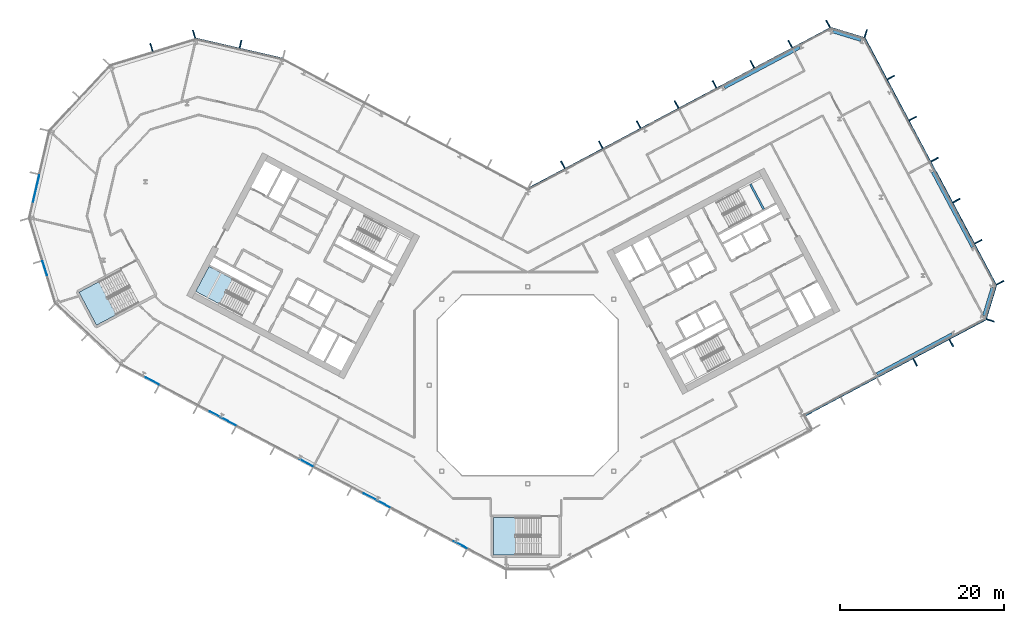
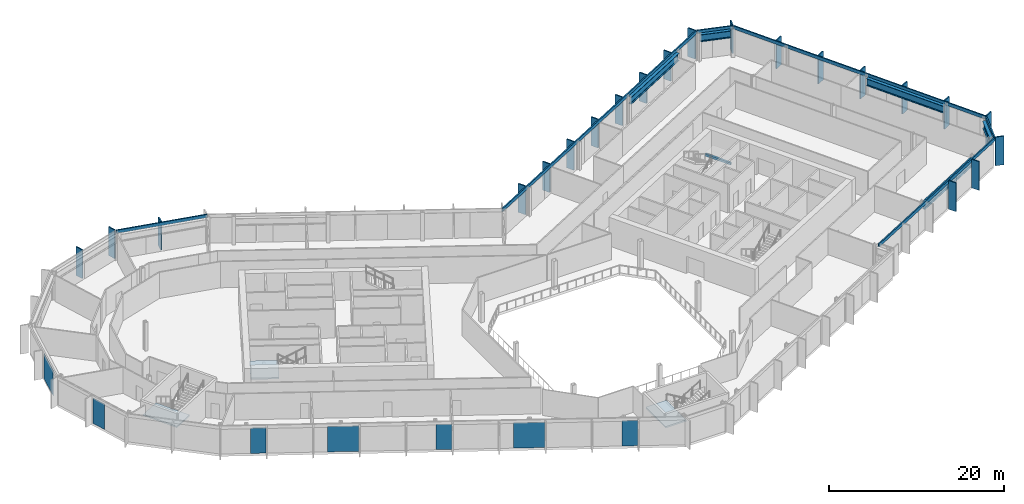
# One storey, part 10 of 28: 27 members, 7 plates, 6 beams, 3 slabs, 13 elements without a shape of their own.
"""IFC4 building model written with IfcOpenShell, lengths in metres."""

from ifc_helpers import new_model, si_unit, direction, frame, origin, origin_2d, place, context, subcontext, project, spatial, polyline, rectangle, i_section, outline, extrude, material, layer, layer_set, material_profile, profile_set, type_object, element, aggregate, save


model = new_model("IFC4")

# Units and contexts
model_context = context("Model", 3, precision=1e-05, world=origin(), true_north=direction((0.0, 1.0)))
body_context = subcontext(model_context, "Body", "Model", "MODEL_VIEW")
ifc_project = project(units=[si_unit("LENGTHUNIT", "METRE"), si_unit("AREAUNIT", "SQUARE_METRE"), si_unit("VOLUMEUNIT", "CUBIC_METRE"), si_unit("PLANEANGLEUNIT", "RADIAN"), si_unit("MASSUNIT", "GRAM", prefix="KILO")], contexts=[model_context])

# Site, building, storey
site_placement = place(None, origin())
site = spatial("IfcSite", under=ifc_project, at=site_placement, CompositionType="ELEMENT")
building_placement = place(site_placement, origin())
building = spatial("IfcBuilding", under=site, at=building_placement, Name="Cormorant Relay Tower", CompositionType="ELEMENT")
storey_placement = place(building_placement, frame((0.0, 0.0, 134.199951171875)))
storey = spatial("IfcBuildingStorey", under=building, at=storey_placement, Name="L27", CompositionType="ELEMENT", Elevation=134.199951171875)

# Curtain wall, members
ifc_material_1 = material(Name="Aluminium 6063-T6 anodised bronze", Category="aluminium")
ifc_layer_1 = layer(ifc_material_1, 0.199951171875)
ifc_layer_set_1 = layer_set([ifc_layer_1], Name="CW1 unitised bronze curtain wall with vertical fins")
curtain_wall_type = type_object("IfcCurtainWallType", Name="CW1 unitised bronze curtain wall with vertical fins", PredefinedType="NOTDEFINED", material=ifc_layer_set_1)
curtain_wall_1_placement = place(storey_placement, origin())
curtain_wall_1 = element("IfcCurtainWall", 1, at=curtain_wall_1_placement, inside=storey, type_object=curtain_wall_type, Name="CW1 curtain wall 4", PredefinedType="NOTDEFINED")
ifc_material_2 = material(Name="Aluminium 6063-T6 anodised bronze", Category="aluminium")
ifc_material_profile_1 = material_profile(ifc_material_2, rectangle(XDim=0.14990234375, YDim=1.0, at=origin_2d()), Name="AL 150x1000")
ifc_profile_set_1 = profile_set([ifc_material_profile_1], Name="Aluminium 6063-T6 anodised bronze")
member_type_1 = type_object("IfcMemberType", Name="CW1 bronze fin mullion 150 x 1000", PredefinedType="MULLION", material=ifc_profile_set_1)
member_1_placement = place(storey_placement, frame((47.21533203125, 2.793212890625, 0.0), z_axis=(0.0, 0.0, 1.0), x_axis=(0.882947592859, 0.469471562786, 0.0)))
member_1 = element("IfcMember", 2, at=member_1_placement, type_object=member_type_1, Name="CW1 fin 4.4", PredefinedType="MULLION", context=body_context, shape_type="SweptSolid", body=[
    extrude(rectangle(XDim=0.14990234375, YDim=1.0, at=origin_2d()), origin(), (0.0, 0.0, 1.0), 4.0),
])
member_2_placement = place(storey_placement, frame((51.630126953125, 5.140625, 0.0), z_axis=(0.0, 0.0, 1.0), x_axis=(0.882947592859, 0.469471562786, 0.0)))
member_2 = element("IfcMember", 3, at=member_2_placement, type_object=member_type_1, Name="CW1 fin 4.5", PredefinedType="MULLION", context=body_context, shape_type="SweptSolid", body=[
    extrude(rectangle(XDim=0.14990234375, YDim=1.0, at=origin_2d()), origin(), (0.0, 0.0, 1.0), 4.0),
])

# Curtain wall, member
curtain_wall_2_placement = place(storey_placement, origin())
curtain_wall_2 = element("IfcCurtainWall", 4, at=curtain_wall_2_placement, inside=storey, type_object=curtain_wall_type, Name="CW1 curtain wall 5", PredefinedType="NOTDEFINED")
member_3_placement = place(storey_placement, frame((56.385498046875, 7.9013671875, 0.0), z_axis=(0.0, 0.0, 1.0), x_axis=(0.292371704723, 0.956304755963, 0.0)))
member_3 = element("IfcMember", 5, at=member_3_placement, type_object=member_type_1, Name="CW1 fin 5.1", PredefinedType="MULLION", context=body_context, shape_type="SweptSolid", body=[
    extrude(rectangle(XDim=0.14990234375, YDim=1.0, at=origin_2d()), origin(), (0.0, 0.0, 1.0), 4.0),
])

# Curtain wall, members
curtain_wall_3_placement = place(storey_placement, origin())
curtain_wall_3 = element("IfcCurtainWall", 6, at=curtain_wall_3_placement, inside=storey, type_object=curtain_wall_type, Name="CW1 curtain wall 6", PredefinedType="NOTDEFINED")
member_4_placement = place(storey_placement, frame((57.57470703125, 12.491943359375, 0.0), z_axis=(0.0, 0.0, 1.0), x_axis=(-0.469471562786, 0.882947592859, 0.0)))
member_4 = element("IfcMember", 7, at=member_4_placement, type_object=member_type_1, Name="CW1 fin 6.1", PredefinedType="MULLION", context=body_context, shape_type="SweptSolid", body=[
    extrude(rectangle(XDim=0.14990234375, YDim=1.0, at=origin_2d()), origin(), (0.0, 0.0, 1.0), 4.0),
])
member_5_placement = place(storey_placement, frame((54.914306640625, 17.4951171875, 0.0), z_axis=(0.0, 0.0, 1.0), x_axis=(-0.469471562786, 0.882947592859, 0.0)))
member_5 = element("IfcMember", 8, at=member_5_placement, type_object=member_type_1, Name="CW1 fin 6.2", PredefinedType="MULLION", context=body_context, shape_type="SweptSolid", body=[
    extrude(rectangle(XDim=0.14990234375, YDim=1.0, at=origin_2d()), origin(), (0.0, 0.0, 1.0), 4.0),
])
member_6_placement = place(storey_placement, frame((52.25390625, 22.49853515625, 0.0), z_axis=(0.0, 0.0, 1.0), x_axis=(-0.469471562786, 0.882947592859, 0.0)))
member_6 = element("IfcMember", 9, at=member_6_placement, type_object=member_type_1, Name="CW1 fin 6.3", PredefinedType="MULLION", context=body_context, shape_type="SweptSolid", body=[
    extrude(rectangle(XDim=0.14990234375, YDim=1.0, at=origin_2d()), origin(), (0.0, 0.0, 1.0), 4.0),
])
member_7_placement = place(storey_placement, frame((49.59375, 27.501953125, 0.0), z_axis=(0.0, 0.0, 1.0), x_axis=(-0.469471562786, 0.882947592859, 0.0)))
member_7 = element("IfcMember", 10, at=member_7_placement, type_object=member_type_1, Name="CW1 fin 6.4", PredefinedType="MULLION", context=body_context, shape_type="SweptSolid", body=[
    extrude(rectangle(XDim=0.14990234375, YDim=1.0, at=origin_2d()), origin(), (0.0, 0.0, 1.0), 4.0),
])
member_8_placement = place(storey_placement, frame((46.933349609375, 32.50537109375, 0.0), z_axis=(0.0, 0.0, 1.0), x_axis=(-0.469471562786, 0.882947592859, 0.0)))
member_8 = element("IfcMember", 11, at=member_8_placement, type_object=member_type_1, Name="CW1 fin 6.5", PredefinedType="MULLION", context=body_context, shape_type="SweptSolid", body=[
    extrude(rectangle(XDim=0.14990234375, YDim=1.0, at=origin_2d()), origin(), (0.0, 0.0, 1.0), 4.0),
])
member_9_placement = place(storey_placement, frame((44.27294921875, 37.5087890625, 0.0), z_axis=(0.0, 0.0, 1.0), x_axis=(-0.469471562786, 0.882947592859, 0.0)))
member_9 = element("IfcMember", 12, at=member_9_placement, type_object=member_type_1, Name="CW1 fin 6.6", PredefinedType="MULLION", context=body_context, shape_type="SweptSolid", body=[
    extrude(rectangle(XDim=0.14990234375, YDim=1.0, at=origin_2d()), origin(), (0.0, 0.0, 1.0), 4.0),
])

# Curtain wall, member
curtain_wall_4_placement = place(storey_placement, origin())
curtain_wall_4 = element("IfcCurtainWall", 13, at=curtain_wall_4_placement, inside=storey, type_object=curtain_wall_type, Name="CW1 curtain wall 7", PredefinedType="NOTDEFINED")
member_10_placement = place(storey_placement, frame((41.19921875, 42.852783203125, 0.0), z_axis=(0.0, 0.0, 1.0), x_axis=(-0.956304755963, 0.292371704723, 0.0)))
member_10 = element("IfcMember", 14, at=member_10_placement, type_object=member_type_1, Name="CW1 fin 7.1", PredefinedType="MULLION", context=body_context, shape_type="SweptSolid", body=[
    extrude(rectangle(XDim=0.14990234375, YDim=1.0, at=origin_2d()), origin(), (0.0, 0.0, 1.0), 4.0),
])

# Curtain wall, members
curtain_wall_5_placement = place(storey_placement, origin())
curtain_wall_5 = element("IfcCurtainWall", 15, at=curtain_wall_5_placement, inside=storey, type_object=curtain_wall_type, Name="CW1 curtain wall 8", PredefinedType="NOTDEFINED")
member_11_placement = place(storey_placement, frame((36.608642578125, 44.0419921875, 0.0), z_axis=(0.0, 0.0, 1.0), x_axis=(-0.882947592859, -0.469471562786, 0.0)))
member_11 = element("IfcMember", 16, at=member_11_placement, type_object=member_type_1, Name="CW1 fin 8.1", PredefinedType="MULLION", context=body_context, shape_type="SweptSolid", body=[
    extrude(rectangle(XDim=0.14990234375, YDim=1.0, at=origin_2d()), origin(), (0.0, 0.0, 1.0), 4.0),
])
member_12_placement = place(storey_placement, frame((31.991455078125, 41.5869140625, 0.0), z_axis=(0.0, 0.0, 1.0), x_axis=(-0.882947592859, -0.469471562786, 0.0)))
member_12 = element("IfcMember", 17, at=member_12_placement, type_object=member_type_1, Name="CW1 fin 8.2", PredefinedType="MULLION", context=body_context, shape_type="SweptSolid", body=[
    extrude(rectangle(XDim=0.14990234375, YDim=1.0, at=origin_2d()), origin(), (0.0, 0.0, 1.0), 4.0),
])
member_13_placement = place(storey_placement, frame((27.37451171875, 39.132080078125, 0.0), z_axis=(0.0, 0.0, 1.0), x_axis=(-0.882947592859, -0.469471562786, 0.0)))
member_13 = element("IfcMember", 18, at=member_13_placement, type_object=member_type_1, Name="CW1 fin 8.3", PredefinedType="MULLION", context=body_context, shape_type="SweptSolid", body=[
    extrude(rectangle(XDim=0.14990234375, YDim=1.0, at=origin_2d()), origin(), (0.0, 0.0, 1.0), 4.0),
])
member_14_placement = place(storey_placement, frame((22.757080078125, 36.677001953125, 0.0), z_axis=(0.0, 0.0, 1.0), x_axis=(-0.882947592859, -0.469471562786, 0.0)))
member_14 = element("IfcMember", 19, at=member_14_placement, type_object=member_type_1, Name="CW1 fin 8.4", PredefinedType="MULLION", context=body_context, shape_type="SweptSolid", body=[
    extrude(rectangle(XDim=0.14990234375, YDim=1.0, at=origin_2d()), origin(), (0.0, 0.0, 1.0), 4.0),
])
member_15_placement = place(storey_placement, frame((18.139892578125, 34.221923828125, 0.0), z_axis=(0.0, 0.0, 1.0), x_axis=(-0.882947592859, -0.469471562786, 0.0)))
member_15 = element("IfcMember", 20, at=member_15_placement, type_object=member_type_1, Name="CW1 fin 8.5", PredefinedType="MULLION", context=body_context, shape_type="SweptSolid", body=[
    extrude(rectangle(XDim=0.14990234375, YDim=1.0, at=origin_2d()), origin(), (0.0, 0.0, 1.0), 4.0),
])
member_16_placement = place(storey_placement, frame((13.52294921875, 31.76708984375, 0.0), z_axis=(0.0, 0.0, 1.0), x_axis=(-0.882947592859, -0.469471562786, 0.0)))
member_16 = element("IfcMember", 21, at=member_16_placement, type_object=member_type_1, Name="CW1 fin 8.6", PredefinedType="MULLION", context=body_context, shape_type="SweptSolid", body=[
    extrude(rectangle(XDim=0.14990234375, YDim=1.0, at=origin_2d()), origin(), (0.0, 0.0, 1.0), 4.0),
])
member_17_placement = place(storey_placement, frame((8.90576171875, 29.31201171875, 0.0), z_axis=(0.0, 0.0, 1.0), x_axis=(-0.882947592859, -0.469471562786, 0.0)))
member_17 = element("IfcMember", 22, at=member_17_placement, type_object=member_type_1, Name="CW1 fin 8.7", PredefinedType="MULLION", context=body_context, shape_type="SweptSolid", body=[
    extrude(rectangle(XDim=0.14990234375, YDim=1.0, at=origin_2d()), origin(), (0.0, 0.0, 1.0), 4.0),
])
member_18_placement = place(storey_placement, frame((4.28857421875, 26.85693359375, 0.0), z_axis=(0.0, 0.0, 1.0), x_axis=(-0.882947592859, -0.469471562786, 0.0)))
member_18 = element("IfcMember", 23, at=member_18_placement, type_object=member_type_1, Name="CW1 fin 8.8", PredefinedType="MULLION", context=body_context, shape_type="SweptSolid", body=[
    extrude(rectangle(XDim=0.14990234375, YDim=1.0, at=origin_2d()), origin(), (0.0, 0.0, 1.0), 4.0),
])

# Curtain wall, member
curtain_wall_6_placement = place(storey_placement, origin())
curtain_wall_6 = element("IfcCurtainWall", 24, at=curtain_wall_6_placement, inside=storey, type_object=curtain_wall_type, Name="CW1 curtain wall 10", PredefinedType="NOTDEFINED")
member_19_placement = place(storey_placement, frame((-35.01220703125, 41.57275390625, 0.0), z_axis=(0.0, 0.0, 1.0), x_axis=(-0.974370064785, 0.224951054344, 0.0)))
member_19 = element("IfcMember", 25, at=member_19_placement, type_object=member_type_1, Name="CW1 fin 10.2", PredefinedType="MULLION", context=body_context, shape_type="SweptSolid", body=[
    extrude(rectangle(XDim=0.14990234375, YDim=1.0, at=origin_2d()), origin(), (0.0, 0.0, 1.0), 4.0),
])

# Curtain wall, members
curtain_wall_7_placement = place(storey_placement, origin())
curtain_wall_7 = element("IfcCurtainWall", 26, at=curtain_wall_7_placement, inside=storey, type_object=curtain_wall_type, Name="CW1 curtain wall 11", PredefinedType="NOTDEFINED")
member_20_placement = place(storey_placement, frame((-40.670166015625, 42.78271484375, 0.0), z_axis=(0.0, 0.0, 1.0), x_axis=(-0.956304755963, -0.292371704723, 0.0)))
member_20 = element("IfcMember", 27, at=member_20_placement, type_object=member_type_1, Name="CW1 fin 11.1", PredefinedType="MULLION", context=body_context, shape_type="SweptSolid", body=[
    extrude(rectangle(XDim=0.14990234375, YDim=1.0, at=origin_2d()), origin(), (0.0, 0.0, 1.0), 4.0),
])
member_21_placement = place(storey_placement, frame((-45.867919921875, 41.193603515625, 0.0), z_axis=(0.0, 0.0, 1.0), x_axis=(-0.956304755963, -0.292371704723, 0.0)))
member_21 = element("IfcMember", 28, at=member_21_placement, type_object=member_type_1, Name="CW1 fin 11.2", PredefinedType="MULLION", context=body_context, shape_type="SweptSolid", body=[
    extrude(rectangle(XDim=0.14990234375, YDim=1.0, at=origin_2d()), origin(), (0.0, 0.0, 1.0), 4.0),
])
aggregate(curtain_wall_7, [member_20, member_21])

# Member
ifc_material_3 = material(Name="Aluminium 6063-T6 anodised bronze", Category="aluminium")
ifc_material_profile_2 = material_profile(ifc_material_3, rectangle(XDim=0.159912109375, YDim=0.449951171875, at=origin_2d()), Name="AL 160x450")
ifc_profile_set_2 = profile_set([ifc_material_profile_2], Name="Aluminium 6063-T6 anodised bronze")
member_type_2 = type_object("IfcMemberType", Name="CW1 bronze transom 160 x 450", PredefinedType="USERDEFINED", material=ifc_profile_set_2)
member_22_placement = place(storey_placement, frame((33.69873046875, -3.73681640625, 3.775146484375), z_axis=(0.88294749795, 0.469471741284, 0.0), x_axis=(-0.469471741284, 0.88294749795, 0.0)))
member_22 = element("IfcMember", 29, at=member_22_placement, type_object=member_type_2, Name="CW1 transom 4", ObjectType="TRANSOM", PredefinedType="USERDEFINED", context=body_context, shape_type="SweptSolid", body=[
    extrude(rectangle(XDim=0.159912109375, YDim=0.449951171875, at=origin_2d()), origin(), (0.0, 0.0, 1.0), 25.0),
])

aggregate(curtain_wall_1, [member_1, member_2, member_22])

member_23_placement = place(storey_placement, frame((55.830810546875, 8.07080078125, 3.775146484375), z_axis=(0.292374957137, 0.956303761594, 0.0), x_axis=(-0.956303761594, 0.292374957137, 0.0)))
member_23 = element("IfcMember", 30, at=member_23_placement, type_object=member_type_2, Name="CW1 transom 5", ObjectType="TRANSOM", PredefinedType="USERDEFINED", context=body_context, shape_type="SweptSolid", body=[
    extrude(rectangle(XDim=0.159912109375, YDim=0.449951171875, at=origin_2d()), origin(), (0.0, 0.0, 1.0), 4.24267578125),
])

aggregate(curtain_wall_2, [member_3, member_23])

member_24_placement = place(storey_placement, frame((57.0625, 12.219482421875, 3.775146484375), z_axis=(-0.469468277635, 0.882949339597, 0.0), x_axis=(-0.882949339597, -0.469468277635, 0.0)))
member_24 = element("IfcMember", 31, at=member_24_placement, type_object=member_type_2, Name="CW1 transom 6", ObjectType="TRANSOM", PredefinedType="USERDEFINED", context=body_context, shape_type="SweptSolid", body=[
    extrude(rectangle(XDim=0.159912109375, YDim=0.449951171875, at=origin_2d()), origin(), (0.0, 0.0, 1.0), 34.0),
])

aggregate(curtain_wall_3, [member_4, member_5, member_6, member_7, member_8, member_9, member_24])

member_25_placement = place(storey_placement, frame((41.02978515625, 42.298095703125, 3.775146484375), z_axis=(-0.956303761594, 0.292374957137, 0.0), x_axis=(-0.292374957137, -0.956303761594, 0.0)))
member_25 = element("IfcMember", 32, at=member_25_placement, type_object=member_type_2, Name="CW1 transom 7", ObjectType="TRANSOM", PredefinedType="USERDEFINED", context=body_context, shape_type="SweptSolid", body=[
    extrude(rectangle(XDim=0.159912109375, YDim=0.449951171875, at=origin_2d()), origin(), (0.0, 0.0, 1.0), 4.24267578125),
])

aggregate(curtain_wall_4, [member_10, member_25])

member_26_placement = place(storey_placement, frame((36.881103515625, 43.52978515625, 3.775146484375), z_axis=(-0.88294882701, -0.469469241677, 0.0), x_axis=(0.469469241677, -0.88294882701, 0.0)))
member_26 = element("IfcMember", 33, at=member_26_placement, type_object=member_type_2, Name="CW1 transom 8", ObjectType="TRANSOM", PredefinedType="USERDEFINED", context=body_context, shape_type="SweptSolid", body=[
    extrude(rectangle(XDim=0.159912109375, YDim=0.449951171875, at=origin_2d()), origin(), (0.0, 0.0, 1.0), 41.834228515625),
])

aggregate(curtain_wall_5, [member_11, member_12, member_13, member_14, member_15, member_16, member_17, member_18, member_26])

member_27_placement = place(storey_placement, frame((-29.8466796875, 39.784912109375, 3.775146484375), z_axis=(-0.974365070969, 0.224972683844, 0.0), x_axis=(-0.224972683844, -0.974365070969, 0.0)))
member_27 = element("IfcMember", 34, at=member_27_placement, type_object=member_type_2, Name="CW1 transom 10", ObjectType="TRANSOM", PredefinedType="USERDEFINED", context=body_context, shape_type="SweptSolid", body=[
    extrude(rectangle(XDim=0.159912109375, YDim=0.449951171875, at=origin_2d()), origin(), (0.0, 0.0, 1.0), 10.870361328125),
])

aggregate(curtain_wall_6, [member_19, member_27])

# Beams
ifc_material_4 = material(Name="Steel ASTM A992 (Fy 345 MPa)", Category="steel")
ifc_material_profile_3 = material_profile(ifc_material_4, i_section(OverallWidth=0.4013671875, OverallDepth=1.000732421875, WebThickness=0.01904296875, FlangeThickness=0.0361328125, FilletRadius=0.02978515625, at=origin_2d()), Name="W1000x371")
ifc_profile_set_3 = profile_set([ifc_material_profile_3], Name="Steel ASTM A992 (Fy 345 MPa)")
beam_type_1 = type_object("IfcBeamType", Name="Spandrel W1000x371", PredefinedType="SPANDREL", material=ifc_profile_set_3)
beam_1_placement = place(storey_placement, frame((42.5595703125, 1.337890625, 3.1396484375), z_axis=(0.882955922346, 0.469455896963, 0.0), x_axis=(-0.469455896963, 0.882955922346, 0.0)))
element("IfcBeam", 35, at=beam_1_placement, inside=storey, type_object=beam_type_1, Name="Spandrel beam L27-004", PredefinedType="SPANDREL", context=body_context, shape_type="SweptSolid", body=[
    extrude(i_section(OverallWidth=0.4013671875, OverallDepth=1.000732421875, WebThickness=0.01904296875, FlangeThickness=0.0361328125, FilletRadius=0.02978515625, at=origin_2d()), origin(), (0.0, 0.0, 1.0), 10.388427734375),
])
beam_2_placement = place(storey_placement, frame((55.62548828125, 8.495849609375, 3.1396484375), z_axis=(0.29237248799, 0.956304516494, 0.0), x_axis=(-0.956304516494, 0.29237248799, 0.0)))
element("IfcBeam", 36, at=beam_2_placement, inside=storey, type_object=beam_type_1, Name="Spandrel beam L27-005", PredefinedType="SPANDREL", context=body_context, shape_type="SweptSolid", body=[
    extrude(i_section(OverallWidth=0.4013671875, OverallDepth=1.000732421875, WebThickness=0.01904296875, FlangeThickness=0.0361328125, FilletRadius=0.02978515625, at=origin_2d()), origin(), (0.0, 0.0, 1.0), 3.585693359375),
])
beam_3_placement = place(storey_placement, frame((54.24169921875, 16.841796875, 3.1396484375), z_axis=(-0.469474218299, 0.882946180893, 0.0), x_axis=(-0.882946180893, -0.469474218299, 0.0)))
element("IfcBeam", 37, at=beam_3_placement, inside=storey, type_object=beam_type_1, Name="Spandrel beam L27-006", PredefinedType="SPANDREL", context=body_context, shape_type="SweptSolid", body=[
    extrude(i_section(OverallWidth=0.4013671875, OverallDepth=1.000732421875, WebThickness=0.01904296875, FlangeThickness=0.0361328125, FilletRadius=0.02978515625, at=origin_2d()), origin(), (0.0, 0.0, 1.0), 10.388671875),
])
beam_4_placement = place(storey_placement, frame((40.605224609375, 42.0927734375, 3.1396484375), z_axis=(-0.956311914022, 0.292348290742, 0.0), x_axis=(-0.292348290742, -0.956311914022, 0.0)))
element("IfcBeam", 38, at=beam_4_placement, inside=storey, type_object=beam_type_1, Name="Spandrel beam L27-007", PredefinedType="SPANDREL", context=body_context, shape_type="SweptSolid", body=[
    extrude(i_section(OverallWidth=0.4013671875, OverallDepth=1.000732421875, WebThickness=0.01904296875, FlangeThickness=0.0361328125, FilletRadius=0.02978515625, at=origin_2d()), origin(), (0.0, 0.0, 1.0), 3.585205078125),
])
beam_5_placement = place(storey_placement, frame((33.141357421875, 41.17822265625, 3.1396484375), z_axis=(-0.882955922346, -0.469455896963, 0.0), x_axis=(0.469455896963, -0.882955922346, 0.0)))
element("IfcBeam", 39, at=beam_5_placement, inside=storey, type_object=beam_type_1, Name="Spandrel beam L27-008", PredefinedType="SPANDREL", context=body_context, shape_type="SweptSolid", body=[
    extrude(i_section(OverallWidth=0.4013671875, OverallDepth=1.000732421875, WebThickness=0.01904296875, FlangeThickness=0.0361328125, FilletRadius=0.02978515625, at=origin_2d()), origin(), (0.0, 0.0, 1.0), 10.388427734375),
])
ifc_material_5 = material(Name="Concrete 50 MPa", Category="concrete")
ifc_material_profile_4 = material_profile(ifc_material_5, rectangle(XDim=0.25, YDim=0.300048828125, at=origin_2d()), Name="RC 250x300")
ifc_profile_set_4 = profile_set([ifc_material_profile_4], Name="Concrete 50 MPa")
beam_type_2 = type_object("IfcBeamType", Name="Stair landing ledge beam 250x300", PredefinedType="BEAM", material=ifc_profile_set_4)
beam_6_placement = place(storey_placement, frame((28.755126953125, 21.4619140625, 1.650146484375), z_axis=(-0.469463917486, 0.882951657895, 0.0), x_axis=(-0.882951657895, -0.469463917486, 0.0)))
element("IfcBeam", 40, at=beam_6_placement, inside=storey, type_object=beam_type_2, Name="B2 landing ledge beam", PredefinedType="BEAM", context=body_context, shape_type="SweptSolid", body=[
    extrude(rectangle(XDim=0.25, YDim=0.300048828125, at=origin_2d()), origin(), (0.0, 0.0, 1.0), 3.449951171875),
])

# Curtain wall, plate
curtain_wall_8_placement = place(storey_placement, origin())
curtain_wall_8 = element("IfcCurtainWall", 41, at=curtain_wall_8_placement, inside=storey, type_object=curtain_wall_type, Name="CW1 curtain wall 14", PredefinedType="NOTDEFINED")
ifc_material_6 = material(Name="Tinted laminated glass", Category="glass")
ifc_layer_2 = layer(ifc_material_6, 0.0400390625)
ifc_layer_set_2 = layer_set([ifc_layer_2], Name="CW1 tinted vision panel 1800 module")
plate_type_1 = type_object("IfcPlateType", Name="CW1 tinted vision panel 1800 module", PredefinedType="CURTAIN_PANEL", material=ifc_layer_set_2)
plate_1_placement = place(storey_placement, frame((-58.86474609375, 14.25732421875, 0.0), z_axis=(0.0, 0.0, 1.0), x_axis=(0.292371704723, -0.956304755963, 0.0)))
plate_1 = element("IfcPlate", 42, at=plate_1_placement, type_object=plate_type_1, Name="CW1 panel V01", PredefinedType="CURTAIN_PANEL", context=body_context, shape_type="SweptSolid", body=[
    extrude(rectangle(XDim=1.800048828125, YDim=0.0400390625, at=origin_2d()), origin(), (0.0, 0.0, 1.0), 3.550048828125),
])
aggregate(curtain_wall_8, [plate_1])

# Curtain wall, plates
curtain_wall_9_placement = place(storey_placement, origin())
curtain_wall_9 = element("IfcCurtainWall", 43, at=curtain_wall_9_placement, inside=storey, type_object=curtain_wall_type, Name="CW1 curtain wall 16", PredefinedType="NOTDEFINED")
plate_2_placement = place(storey_placement, frame((-45.767578125, 0.5283203125, 0.0), z_axis=(0.0, 0.0, 1.0), x_axis=(0.882947592859, -0.469471562786, 0.0)))
plate_2 = element("IfcPlate", 44, at=plate_2_placement, type_object=plate_type_1, Name="CW1 panel V01", PredefinedType="CURTAIN_PANEL", context=body_context, shape_type="SweptSolid", body=[
    extrude(rectangle(XDim=1.800048828125, YDim=0.0400390625, at=origin_2d()), origin(), (0.0, 0.0, 1.0), 3.550048828125),
])
plate_3_placement = place(storey_placement, frame((-26.990478515625, -9.45556640625, 0.0), z_axis=(0.0, 0.0, 1.0), x_axis=(0.882947592859, -0.469471562786, 0.0)))
plate_3 = element("IfcPlate", 45, at=plate_3_placement, type_object=plate_type_1, Name="CW1 panel V05", PredefinedType="CURTAIN_PANEL", context=body_context, shape_type="SweptSolid", body=[
    extrude(rectangle(XDim=1.800048828125, YDim=0.0400390625, at=origin_2d()), origin(), (0.0, 0.0, 1.0), 3.550048828125),
])
plate_4_placement = place(storey_placement, frame((-8.21337890625, -19.439453125, 0.0), z_axis=(0.0, 0.0, 1.0), x_axis=(0.882947592859, -0.469471562786, 0.0)))
plate_4 = element("IfcPlate", 46, at=plate_4_placement, type_object=plate_type_1, Name="CW1 panel V09", PredefinedType="CURTAIN_PANEL", context=body_context, shape_type="SweptSolid", body=[
    extrude(rectangle(XDim=1.800048828125, YDim=0.0400390625, at=origin_2d()), origin(), (0.0, 0.0, 1.0), 3.550048828125),
])

# Curtain wall, plate
curtain_wall_10_placement = place(storey_placement, origin())
curtain_wall_10 = element("IfcCurtainWall", 47, at=curtain_wall_10_placement, inside=storey, type_object=curtain_wall_type, Name="CW1 curtain wall 13", PredefinedType="NOTDEFINED")
ifc_material_7 = material(Name="Tinted laminated glass", Category="glass")
ifc_layer_3 = layer(ifc_material_7, 0.0400390625)
ifc_layer_set_3 = layer_set([ifc_layer_3], Name="CW1 tinted vision panel 3600 module")
plate_type_2 = type_object("IfcPlateType", Name="CW1 tinted vision panel 3600 module", PredefinedType="CURTAIN_PANEL", material=ifc_layer_set_3)
plate_5_placement = place(storey_placement, frame((-59.9384765625, 23.86669921875, 0.0), z_axis=(0.0, 0.0, 1.0), x_axis=(-0.224951054344, -0.974370064785, 0.0)))
plate_5 = element("IfcPlate", 48, at=plate_5_placement, type_object=plate_type_2, Name="CW1 panel V01", PredefinedType="CURTAIN_PANEL", context=body_context, shape_type="SweptSolid", body=[
    extrude(rectangle(XDim=3.60009765625, YDim=0.0400390625, at=origin_2d()), origin(), (0.0, 0.0, 1.0), 3.550048828125),
])
aggregate(curtain_wall_10, [plate_5])

# Plate
plate_6_placement = place(storey_placement, frame((-37.173583984375, -4.041015625, 0.0), z_axis=(0.0, 0.0, 1.0), x_axis=(0.882947592859, -0.469471562786, 0.0)))
plate_6 = element("IfcPlate", 49, at=plate_6_placement, type_object=plate_type_2, Name="CW1 panel V03", PredefinedType="CURTAIN_PANEL", context=body_context, shape_type="SweptSolid", body=[
    extrude(rectangle(XDim=3.60009765625, YDim=0.0400390625, at=origin_2d()), origin(), (0.0, 0.0, 1.0), 3.550048828125),
])

plate_7_placement = place(storey_placement, frame((-18.396484375, -14.02490234375, 0.0), z_axis=(0.0, 0.0, 1.0), x_axis=(0.882947592859, -0.469471562786, 0.0)))
plate_7 = element("IfcPlate", 50, at=plate_7_placement, type_object=plate_type_2, Name="CW1 panel V07", PredefinedType="CURTAIN_PANEL", context=body_context, shape_type="SweptSolid", body=[
    extrude(rectangle(XDim=3.60009765625, YDim=0.0400390625, at=origin_2d()), origin(), (0.0, 0.0, 1.0), 3.550048828125),
])

aggregate(curtain_wall_9, [plate_2, plate_6, plate_3, plate_7, plate_4])

# Stair, slab
ifc_material_8 = material(Name="Concrete 40 MPa", Category="concrete")
stair_type_1 = type_object("IfcStairType", Name="Exit stair 1500", PredefinedType="HALF_TURN_STAIR", material=ifc_material_8)
stair_1_placement = place(storey_placement, origin())
stair_1 = element("IfcStair", 51, at=stair_1_placement, inside=storey, type_object=stair_type_1, Name="L27 Stair", PredefinedType="HALF_TURN_STAIR")
ifc_material_9 = material(Name="Concrete 40 MPa", Category="concrete")
ifc_layer_4 = layer(ifc_material_9, 0.199951171875)
ifc_layer_set_4 = layer_set([ifc_layer_4], Name="Exit stair landing 200")
slab_type = type_object("IfcSlabType", Name="Exit stair landing 200", PredefinedType="LANDING", material=ifc_layer_set_4)
slab_1_placement = place(storey_placement, frame((0.0, 0.0, 1.800048828125)))
slab_1 = element("IfcSlab", 52, at=slab_1_placement, type_object=slab_type, Name="A2 landing 1", PredefinedType="LANDING", context=body_context, shape_type="SweptSolid", body=[
    extrude(outline(polyline([(-35.96044921875, 12.947998046875), (-38.84765625, 14.483154296875), (-40.467529296875, 11.43701171875), (-37.580322265625, 9.90185546875), (-35.96044921875, 12.947998046875)])), origin(), (0.0, 0.0, 1.0), 0.199951171875),
])
aggregate(stair_1, [slab_1])

ifc_material_10 = material(Name="Concrete 40 MPa", Category="concrete")
stair_type_2 = type_object("IfcStairType", Name="Remote exit stair 2200", PredefinedType="HALF_TURN_STAIR", material=ifc_material_10)
stair_2_placement = place(storey_placement, origin())
stair_2 = element("IfcStair", 53, at=stair_2_placement, inside=storey, type_object=stair_type_2, Name="L27 Stair", PredefinedType="HALF_TURN_STAIR")
slab_2_placement = place(storey_placement, frame((0.0, 0.0, 1.800048828125)))
slab_2 = element("IfcSlab", 54, at=slab_2_placement, type_object=slab_type, Name="RK1 landing 1", PredefinedType="LANDING", context=body_context, shape_type="SweptSolid", body=[
    extrude(outline(polyline([(-1.47998046875, -16.125), (-4.199951171875, -16.125), (-4.199951171875, -20.675048828125), (-1.47998046875, -20.675048828125), (-1.47998046875, -16.125)])), origin(), (0.0, 0.0, 1.0), 0.199951171875),
])
aggregate(stair_2, [slab_2])

stair_3_placement = place(storey_placement, origin())
stair_3 = element("IfcStair", 55, at=stair_3_placement, inside=storey, type_object=stair_type_2, Name="L27 Stair", PredefinedType="HALF_TURN_STAIR")
slab_3_placement = place(storey_placement, frame((0.0, 0.0, 1.800048828125)))
slab_3 = element("IfcSlab", 56, at=slab_3_placement, type_object=slab_type, Name="RP1 landing 1", PredefinedType="LANDING", context=body_context, shape_type="SweptSolid", body=[
    extrude(outline(polyline([(-52.29833984375, 12.607666015625), (-54.699951171875, 11.330810546875), (-52.563720703125, 7.3134765625), (-50.162109375, 8.59033203125), (-52.29833984375, 12.607666015625)])), origin(), (0.0, 0.0, 1.0), 0.199951171875),
])
aggregate(stair_3, [slab_3])

save(model, "model.ifc")
